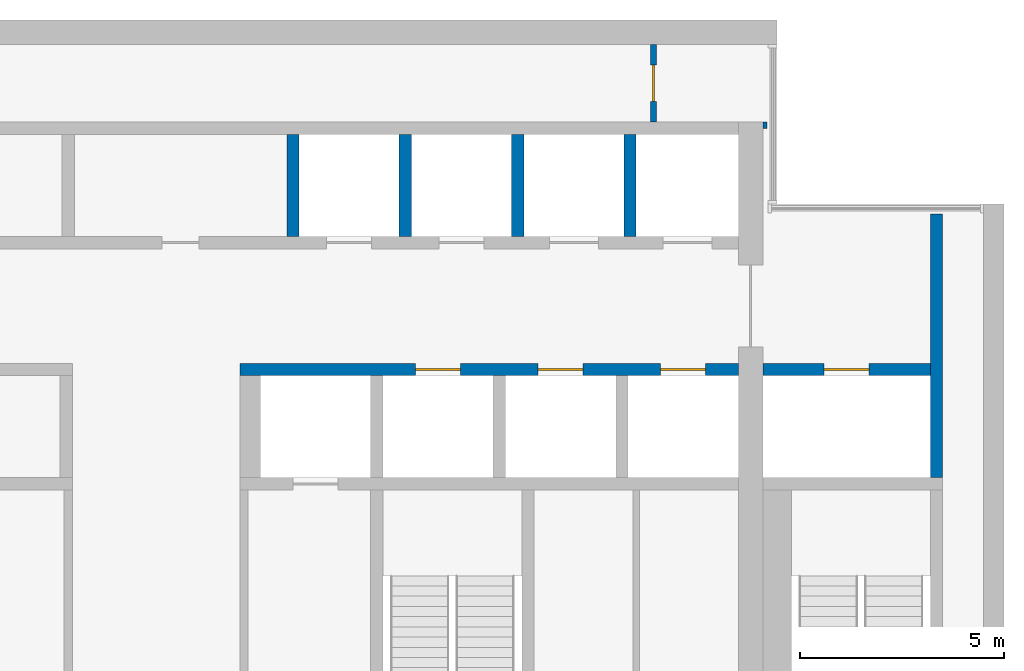
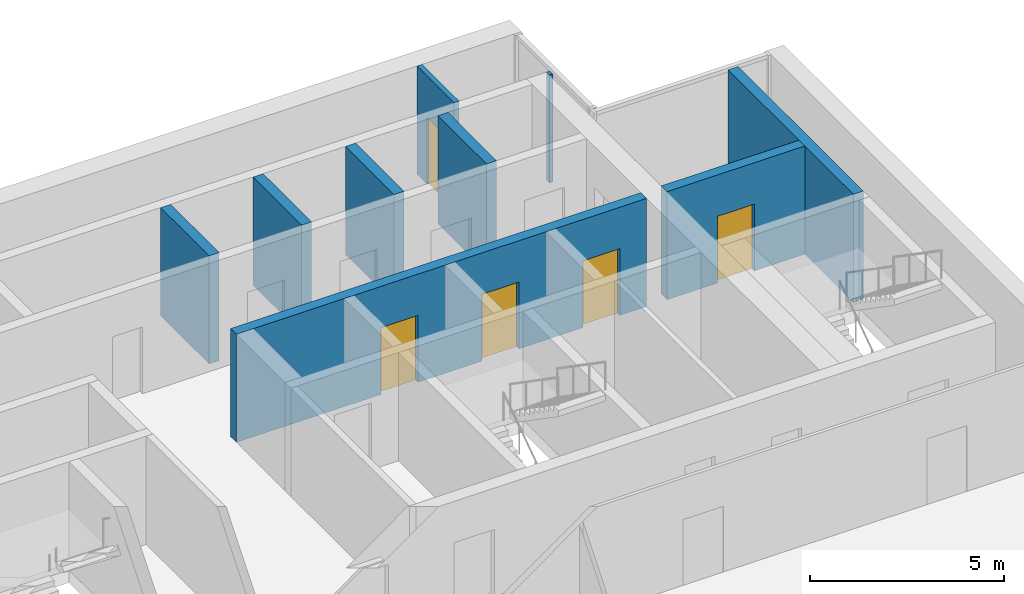
# One storey, part 11 of 14: 9 walls, 5 doors, 5 openings.
"""IFC4 building model written with IfcOpenShell, lengths in metres."""

from ifc_helpers import new_model, si_unit, direction, frame, frame_2d, origin, place, context, subcontext, project, spatial, rectangle, extrude, material, layer, layer_set, type_object, element, fill, save


model = new_model("IFC4")

# Units and contexts
model_context = context("Model", 3, precision=1e-05, world=origin(), true_north=direction((0.0, 1.0)))
body_context = subcontext(model_context, "Body", "Model", "MODEL_VIEW")
ifc_project = project(units=[si_unit("LENGTHUNIT", "METRE"), si_unit("AREAUNIT", "SQUARE_METRE"), si_unit("VOLUMEUNIT", "CUBIC_METRE"), si_unit("PLANEANGLEUNIT", "RADIAN"), si_unit("MASSUNIT", "GRAM", prefix="KILO")], contexts=[model_context])

# Site, building, storey
site_placement = place(None, origin())
site = spatial("IfcSite", under=ifc_project, at=site_placement, CompositionType="ELEMENT")
building_placement = place(site_placement, origin())
building = spatial("IfcBuilding", under=site, at=building_placement, Name="Calvaro Tower", CompositionType="ELEMENT")
storey_placement = place(building_placement, frame((0.0, 0.0, 246.949951171875)))
storey = spatial("IfcBuildingStorey", under=building, at=storey_placement, Name="L62", CompositionType="ELEMENT", Elevation=246.949951171875)

# Wall
ifc_material_1 = material(Name="Blockwork partition", Category="masonry")
ifc_layer_1 = layer(ifc_material_1, 0.10009765625)
ifc_layer_set_1 = layer_set([ifc_layer_1], Name="Blockwork partition")
wall_type_1 = type_object("IfcWallType", Name="Core partition 100 REI 120", PredefinedType="PARTITIONING", material=ifc_layer_set_1)
wall_1_placement = place(storey_placement, frame((60.14990234375, 43.35009765625, 0.0), z_axis=(0.0, 0.0, 1.0), x_axis=(0.0, 1.0, 0.0)))
element("IfcWall", 1, at=wall_1_placement, inside=storey, type_object=wall_type_1, Name="Core partition", PredefinedType="PARTITIONING", context=body_context, shape_type="SweptSolid", body=[
    extrude(rectangle(XDim=0.14990234375, YDim=0.10009765625, at=frame_2d((0.074951171875, 0.0))), origin(), (0.0, 0.0, 1.0), 3.400146484375),
])

# Wall, opening, door
ifc_material_2 = material(Name="Blockwork partition", Category="masonry")
ifc_layer_2 = layer(ifc_material_2, 0.14990234375)
ifc_layer_set_2 = layer_set([ifc_layer_2], Name="Blockwork partition")
wall_type_2 = type_object("IfcWallType", Name="Core partition 150 REI 120", PredefinedType="PARTITIONING", material=ifc_layer_set_2)
wall_2_placement = place(storey_placement, frame((57.425048828125, 45.39990234375, 0.0), z_axis=(0.0, 0.0, 1.0), x_axis=(0.0, -1.0, 0.0)))
wall_2 = element("IfcWall", 2, at=wall_2_placement, inside=storey, type_object=wall_type_2, Name="Core partition", PredefinedType="PARTITIONING", context=body_context, shape_type="SweptSolid", body=[
    extrude(rectangle(XDim=1.89990234375, YDim=0.14990234375, at=frame_2d((0.949951171875, 0.0))), origin(), (0.0, 0.0, 1.0), 3.400146484375),
])
opening_1_placement = place(wall_2_placement, frame((0.5, 0.0, 0.0)))
opening_1 = element("IfcOpeningElement", 3, at=opening_1_placement, cuts=wall_2, Name="Opening RD9E", PredefinedType="OPENING", context=body_context, shape_type="SweptSolid", body=[
    extrude(rectangle(XDim=0.89990234375, YDim=2.10009765625, at=frame_2d((0.449951171875, 1.050048828125))), frame((0.0, 0.0849609375, 0.0), z_axis=(0.0, -1.0, 0.0), x_axis=(1.0, 0.0, 0.0)), (0.0, 0.0, 1.0), 0.169921875),
])
ifc_material_3 = material(Name="Steel door set", Category="steel")
door_type_1 = type_object("IfcDoorType", Name="Room door 900 FD60", OperationType="SINGLE_SWING_LEFT", PredefinedType="DOOR", material=ifc_material_3)
door_1_placement = place(opening_1_placement, origin())
door_1 = element("IfcDoor", 4, at=door_1_placement, inside=storey, type_object=door_type_1, Name="Room door", OperationType="SINGLE_SWING_LEFT", OverallHeight=2.10009765625, OverallWidth=0.89990234375, PredefinedType="DOOR", context=body_context, shape_type="SweptSolid", body=[
    extrude(rectangle(XDim=0.89990234375, YDim=2.10009765625, at=frame_2d((0.449951171875, 1.050048828125))), frame((0.0, 0.02490234375, 0.0), z_axis=(0.0, -1.0, 0.0), x_axis=(1.0, 0.0, 0.0)), (0.0, 0.0, 1.0), 0.050048828125),
])
fill(opening_1, door_1)

# Wall
ifc_material_4 = material(Name="Concrete C40/50", Category="concrete")
ifc_layer_3 = layer(ifc_material_4, 0.300048828125)
ifc_layer_set_3 = layer_set([ifc_layer_3], Name="Concrete C40/50")
wall_type_3 = type_object("IfcWallType", Name="Core wall C40/50 300", PredefinedType="SHEAR", material=ifc_layer_set_3)
wall_3_placement = place(storey_placement, frame((64.35009765625, 34.800048828125, 0.0), z_axis=(0.0, 0.0, 1.0), x_axis=(0.0, 1.0, 0.0)))
element("IfcWall", 5, at=wall_3_placement, inside=storey, type_object=wall_type_3, Name="Core wall, boundary", PredefinedType="SHEAR", context=body_context, shape_type="SweptSolid", body=[
    extrude(rectangle(XDim=6.449951171875, YDim=0.300048828125, at=frame_2d((3.22509765625, 0.0))), origin(), (0.0, 0.0, 1.0), 3.400146484375),
])

# Wall, openings, doors
wall_4_placement = place(storey_placement, frame((47.300048828125, 37.449951171875, 0.0), z_axis=(0.0, 0.0, 1.0), x_axis=(1.0, 0.0, 0.0)))
wall_4 = element("IfcWall", 6, at=wall_4_placement, inside=storey, type_object=wall_type_3, Name="Core wall, lift shaft", PredefinedType="SHEAR", context=body_context, shape_type="SweptSolid", body=[
    extrude(rectangle(XDim=12.199951171875, YDim=0.300048828125, at=frame_2d((6.10009765625, 0.0))), origin(), (0.0, 0.0, 1.0), 3.400146484375),
])
opening_2_placement = place(wall_4_placement, frame((4.300048828125, 0.0, 0.0)))
opening_2 = element("IfcOpeningElement", 7, at=opening_2_placement, cuts=wall_4, Name="Opening HR1", PredefinedType="OPENING", context=body_context, shape_type="SweptSolid", body=[
    extrude(rectangle(XDim=1.10009765625, YDim=2.10009765625, at=frame_2d((0.550048828125, 1.050048828125))), frame((0.0, 0.159912109375, 0.0), z_axis=(0.0, -1.0, 0.0), x_axis=(1.0, 0.0, 0.0)), (0.0, 0.0, 1.0), 0.320068359375),
])
opening_3_placement = place(wall_4_placement, frame((7.300048828125, 0.0, 0.0)))
opening_3 = element("IfcOpeningElement", 8, at=opening_3_placement, cuts=wall_4, Name="Opening HR2", PredefinedType="OPENING", context=body_context, shape_type="SweptSolid", body=[
    extrude(rectangle(XDim=1.10009765625, YDim=2.10009765625, at=frame_2d((0.550048828125, 1.050048828125))), frame((0.0, 0.159912109375, 0.0), z_axis=(0.0, -1.0, 0.0), x_axis=(1.0, 0.0, 0.0)), (0.0, 0.0, 1.0), 0.320068359375),
])
opening_4_placement = place(wall_4_placement, frame((10.300048828125, 0.0, 0.0)))
opening_4 = element("IfcOpeningElement", 9, at=opening_4_placement, cuts=wall_4, Name="Opening HR3", PredefinedType="OPENING", context=body_context, shape_type="SweptSolid", body=[
    extrude(rectangle(XDim=1.10009765625, YDim=2.10009765625, at=frame_2d((0.550048828125, 1.050048828125))), frame((0.0, 0.159912109375, 0.0), z_axis=(0.0, -1.0, 0.0), x_axis=(1.0, 0.0, 0.0)), (0.0, 0.0, 1.0), 0.320068359375),
])
ifc_material_5 = material(Name="Stainless steel", Category="steel")
door_type_2 = type_object("IfcDoorType", Name="Landing door 1100 E 60", OperationType="SLIDING_TO_LEFT", PredefinedType="DOOR", material=ifc_material_5)
door_2_placement = place(opening_2_placement, origin())
door_2 = element("IfcDoor", 10, at=door_2_placement, inside=storey, type_object=door_type_2, Name="Landing door HR1", OperationType="SLIDING_TO_LEFT", OverallHeight=2.10009765625, OverallWidth=1.10009765625, PredefinedType="DOOR", context=body_context, shape_type="SweptSolid", body=[
    extrude(rectangle(XDim=1.10009765625, YDim=2.10009765625, at=frame_2d((0.550048828125, 1.050048828125))), frame((0.0, 0.02490234375, 0.0), z_axis=(0.0, -1.0, 0.0), x_axis=(1.0, 0.0, 0.0)), (0.0, 0.0, 1.0), 0.050048828125),
])
fill(opening_2, door_2)
door_3_placement = place(opening_3_placement, origin())
door_3 = element("IfcDoor", 11, at=door_3_placement, inside=storey, type_object=door_type_2, Name="Landing door HR2", OperationType="SLIDING_TO_LEFT", OverallHeight=2.10009765625, OverallWidth=1.10009765625, PredefinedType="DOOR", context=body_context, shape_type="SweptSolid", body=[
    extrude(rectangle(XDim=1.10009765625, YDim=2.10009765625, at=frame_2d((0.550048828125, 1.050048828125))), frame((0.0, 0.02490234375, 0.0), z_axis=(0.0, -1.0, 0.0), x_axis=(1.0, 0.0, 0.0)), (0.0, 0.0, 1.0), 0.050048828125),
])
fill(opening_3, door_3)
door_4_placement = place(opening_4_placement, origin())
door_4 = element("IfcDoor", 12, at=door_4_placement, inside=storey, type_object=door_type_2, Name="Landing door HR3", OperationType="SLIDING_TO_LEFT", OverallHeight=2.10009765625, OverallWidth=1.10009765625, PredefinedType="DOOR", context=body_context, shape_type="SweptSolid", body=[
    extrude(rectangle(XDim=1.10009765625, YDim=2.10009765625, at=frame_2d((0.550048828125, 1.050048828125))), frame((0.0, 0.02490234375, 0.0), z_axis=(0.0, -1.0, 0.0), x_axis=(1.0, 0.0, 0.0)), (0.0, 0.0, 1.0), 0.050048828125),
])
fill(opening_4, door_4)

# Wall, opening, door
wall_5_placement = place(storey_placement, frame((60.10009765625, 37.449951171875, 0.0), z_axis=(0.0, 0.0, 1.0), x_axis=(1.0, 0.0, 0.0)))
wall_5 = element("IfcWall", 13, at=wall_5_placement, inside=storey, type_object=wall_type_3, Name="Core wall, lift shaft", PredefinedType="SHEAR", context=body_context, shape_type="SweptSolid", body=[
    extrude(rectangle(XDim=4.099853515625, YDim=0.300048828125, at=frame_2d((2.0498046875, 0.0))), origin(), (0.0, 0.0, 1.0), 3.400146484375),
])
opening_5_placement = place(wall_5_placement, frame((1.5, 0.0, 0.0)))
opening_5 = element("IfcOpeningElement", 14, at=opening_5_placement, cuts=wall_5, Name="Opening FF3", PredefinedType="OPENING", context=body_context, shape_type="SweptSolid", body=[
    extrude(rectangle(XDim=1.10009765625, YDim=2.10009765625, at=frame_2d((0.550048828125, 1.050048828125))), frame((0.0, 0.159912109375, 0.0), z_axis=(0.0, -1.0, 0.0), x_axis=(1.0, 0.0, 0.0)), (0.0, 0.0, 1.0), 0.320068359375),
])
door_5_placement = place(opening_5_placement, origin())
door_5 = element("IfcDoor", 15, at=door_5_placement, inside=storey, type_object=door_type_2, Name="Landing door FF3", OperationType="SLIDING_TO_LEFT", OverallHeight=2.10009765625, OverallWidth=1.10009765625, PredefinedType="DOOR", context=body_context, shape_type="SweptSolid", body=[
    extrude(rectangle(XDim=1.10009765625, YDim=2.10009765625, at=frame_2d((0.550048828125, 1.050048828125))), frame((0.0, 0.02490234375, 0.0), z_axis=(0.0, -1.0, 0.0), x_axis=(1.0, 0.0, 0.0)), (0.0, 0.0, 1.0), 0.050048828125),
])
fill(opening_5, door_5)

# Walls
for number, where, z_axis, x_axis, name in (
    (16, (48.60009765625, 40.699951171875, 0.0), (0.0, 0.0, 1.0), (0.0, 1.0, 0.0), "Core wall, lift shaft"),
    (17, (51.35009765625, 40.699951171875, 0.0), (0.0, 0.0, 1.0), (0.0, 1.0, 0.0), "Core wall, lift shaft"),
    (18, (54.10009765625, 40.699951171875, 0.0), (0.0, 0.0, 1.0), (0.0, 1.0, 0.0), "Core wall, lift shaft"),
    (19, (56.85009765625, 40.699951171875, 0.0), (0.0, 0.0, 1.0), (0.0, 1.0, 0.0), "Core wall, lift shaft"),
):
    element("IfcWall", number, at=place(storey_placement, frame(where, z_axis=z_axis, x_axis=x_axis)), inside=storey, type_object=wall_type_3, Name=name, PredefinedType="SHEAR", context=body_context, shape_type="SweptSolid", body=[
        extrude(rectangle(XDim=2.5, YDim=0.300048828125, at=frame_2d((1.25, 0.0))), origin(), (0.0, 0.0, 1.0), 3.400146484375),
    ])

save(model, "model.ifc")
